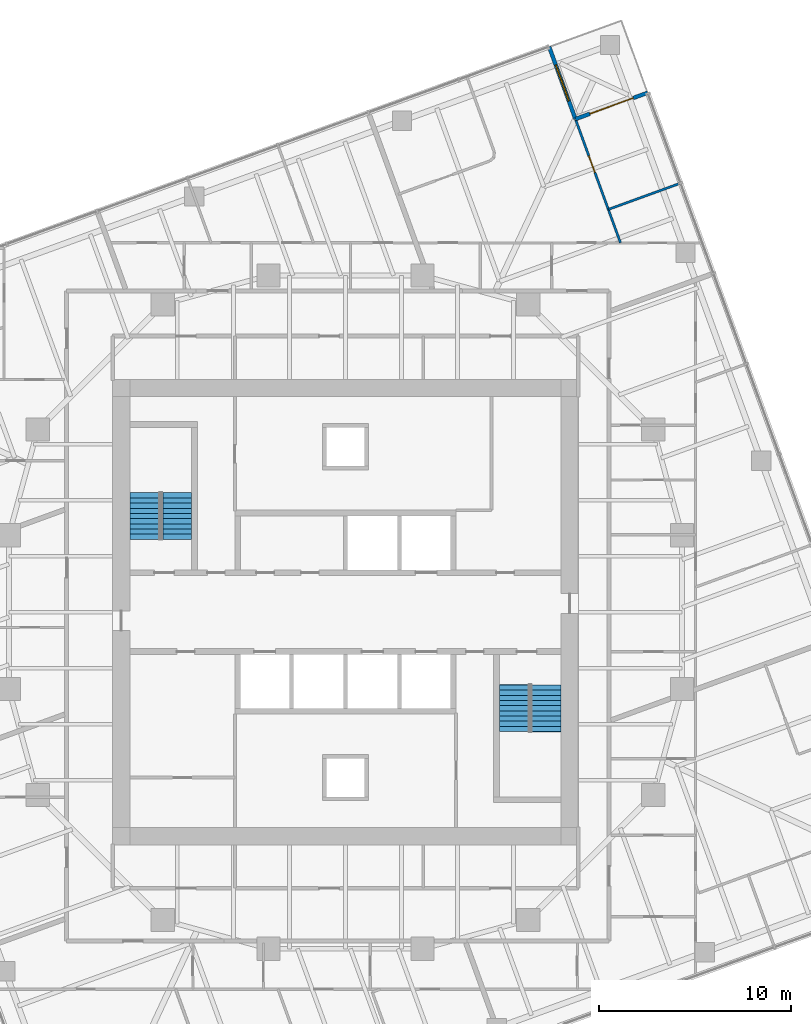
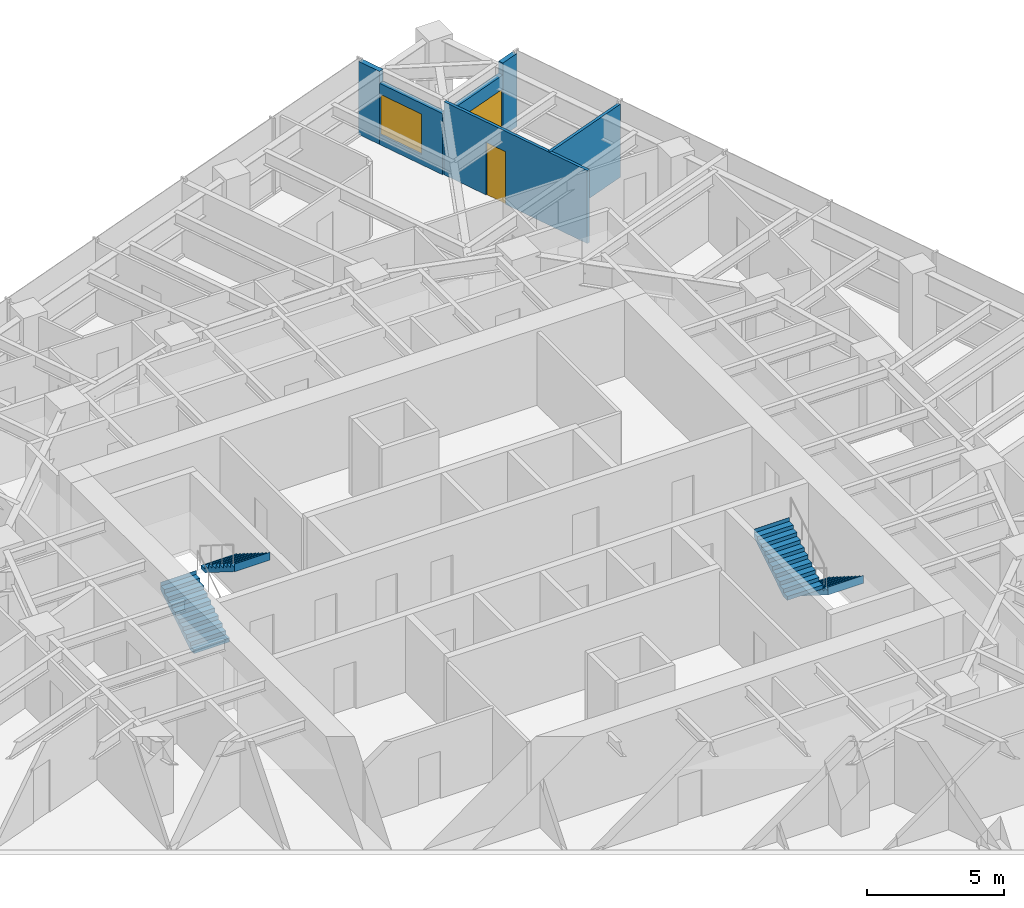
# One storey, part 12 of 13: 6 walls, 4 stair flights, 2 doors, 1 window, 3 openings, 2 elements without a shape of their own.
"""IFC4 building model written with IfcOpenShell, lengths in metres."""

from ifc_helpers import new_model, si_unit, direction, frame, frame_2d, origin, place, context, subcontext, project, spatial, polyline, rectangle, outline, extrude, material, layer, layer_set, type_object, element, fill, aggregate, save


model = new_model("IFC4")

# Units and contexts
model_context = context("Model", 3, precision=1e-05, world=origin(), true_north=direction((0.0, 1.0)))
body_context = subcontext(model_context, "Body", "Model", "MODEL_VIEW")
ifc_project = project(units=[si_unit("LENGTHUNIT", "METRE"), si_unit("AREAUNIT", "SQUARE_METRE"), si_unit("VOLUMEUNIT", "CUBIC_METRE"), si_unit("PLANEANGLEUNIT", "RADIAN"), si_unit("MASSUNIT", "GRAM", prefix="KILO")], contexts=[model_context])

# Site, building, storey
site_placement = place(None, origin())
site = spatial("IfcSite", under=ifc_project, at=site_placement, CompositionType="ELEMENT")
building_placement = place(site_placement, origin())
building = spatial("IfcBuilding", under=site, at=building_placement, Name="Torsade Residences", CompositionType="ELEMENT")
storey_placement = place(building_placement, frame((0.0, 0.0, 164.199951171875)))
storey = spatial("IfcBuildingStorey", under=building, at=storey_placement, Name="L45", CompositionType="ELEMENT", Elevation=164.199951171875)

# Wall, opening, door
ifc_material_1 = material(Name="Plasterboard on steel stud", Category="steel")
ifc_layer_1 = layer(ifc_material_1, 0.1201171875)
ifc_layer_set_1 = layer_set([ifc_layer_1], Name="Plasterboard on steel stud")
wall_type_1 = type_object("IfcWallType", Name="PARTITION 120", PredefinedType="PARTITIONING", material=ifc_layer_set_1)
wall_1_placement = place(storey_placement, frame((51.967041015625, 55.5966796875, 0.0), z_axis=(0.0, 0.0, 1.0), x_axis=(0.342039648023, -0.939685521427, 0.0)))
wall_1 = element("IfcWall", 1, at=wall_1_placement, inside=storey, type_object=wall_type_1, Name="Partition L45", PredefinedType="PARTITIONING", context=body_context, shape_type="SweptSolid", body=[
    extrude(rectangle(XDim=6.807373046875, YDim=0.1201171875, at=frame_2d((3.40380859375, 0.0))), origin(), (0.0, 0.0, 1.0), 3.25),
])
opening_1_placement = place(wall_1_placement, frame((2.0, 0.0, 0.0)))
opening_1 = element("IfcOpeningElement", 2, at=opening_1_placement, cuts=wall_1, Name="Opening D02", PredefinedType="OPENING", context=body_context, shape_type="SweptSolid", body=[
    extrude(rectangle(XDim=0.919921875, YDim=2.340087890625, at=frame_2d((0.4599609375, 1.169921875))), frame((0.0, 0.070068359375, 0.0), z_axis=(0.0, -1.0, 0.0), x_axis=(1.0, 0.0, 0.0)), (0.0, 0.0, 1.0), 0.14013671875),
])
ifc_material_2 = material(Name="Hollow-core timber door", Category="wood")
door_type_1 = type_object("IfcDoorType", Name="INTERNAL DOOR 920x2340", OperationType="NOTDEFINED", PredefinedType="DOOR", material=ifc_material_2)
door_1_placement = place(opening_1_placement, origin())
door_1 = element("IfcDoor", 3, at=door_1_placement, inside=storey, type_object=door_type_1, Name="Door Living room to Bedroom 2", OperationType="SINGLE_SWING_RIGHT", OverallHeight=2.340087890625, OverallWidth=0.919921875, PredefinedType="DOOR", context=body_context, shape_type="SweptSolid", body=[
    extrude(rectangle(XDim=0.919921875, YDim=2.340087890625, at=frame_2d((0.4599609375, 1.169921875))), frame((0.0, 0.02490234375, 0.0), z_axis=(0.0, -1.0, 0.0), x_axis=(1.0, 0.0, 0.0)), (0.0, 0.0, 1.0), 0.050048828125),
])
fill(opening_1, door_1)

# Walls
wall_2_placement = place(storey_placement, frame((57.384765625, 52.290283203125, 0.0), z_axis=(0.0, 0.0, 1.0), x_axis=(-0.939685374709, -0.342040051101, 0.0)))
element("IfcWall", 4, at=wall_2_placement, inside=storey, type_object=wall_type_1, Name="Partition L45", PredefinedType="PARTITIONING", context=body_context, shape_type="SweptSolid", body=[
    extrude(rectangle(XDim=3.9599609375, YDim=0.1201171875, at=frame_2d((1.97998046875, 0.0))), origin(), (0.0, 0.0, 1.0), 3.25),
])
ifc_material_3 = material(Name="Stone-faced precast concrete 40 MPa panel", Category="masonry")
ifc_layer_2 = layer(ifc_material_3, 0.199951171875)
ifc_layer_set_2 = layer_set([ifc_layer_2], Name="Stone-faced precast concrete 40 MPa panel")
wall_type_2 = type_object("IfcWallType", Name="TERRACE WALL 200", PredefinedType="SOLIDWALL", material=ifc_layer_set_2)
wall_3_placement = place(storey_placement, frame((55.712158203125, 57.00244140625, 0.0), z_axis=(0.0, 0.0, 1.0), x_axis=(-0.939659694648, -0.342110593602, 0.0)))
element("IfcWall", 5, at=wall_3_placement, inside=storey, type_object=wall_type_2, Name="Terrace wall L45 5", PredefinedType="SOLIDWALL", context=body_context, shape_type="SweptSolid", body=[
    extrude(rectangle(XDim=0.800048828125, YDim=0.199951171875, at=frame_2d((0.39990234375, 0.0))), origin(), (0.0, 0.0, 1.0), 3.25),
])

# Wall, opening, door
wall_4_placement = place(storey_placement, frame((54.96044921875, 56.728759765625, 0.0), z_axis=(0.0, 0.0, 1.0), x_axis=(-0.939693144909, -0.342018703306, 0.0)))
wall_4 = element("IfcWall", 6, at=wall_4_placement, inside=storey, type_object=wall_type_2, Name="Terrace wall L45 5", PredefinedType="SOLIDWALL", context=body_context, shape_type="SweptSolid", body=[
    extrude(rectangle(XDim=3.199951171875, YDim=0.199951171875, at=frame_2d((1.60009765625, 0.0))), origin(), (0.0, 0.0, 1.0), 2.72216796875),
])
opening_2_placement = place(wall_4_placement, origin())
opening_2 = element("IfcOpeningElement", 7, at=opening_2_placement, cuts=wall_4, Name="Opening D10A", PredefinedType="OPENING", context=body_context, shape_type="SweptSolid", body=[
    extrude(rectangle(XDim=2.39990234375, YDim=2.10009765625, at=frame_2d((1.199951171875, 1.050048828125))), frame((0.0, 0.10986328125, 0.0), z_axis=(0.0, -1.0, 0.0), x_axis=(1.0, 0.0, 0.0)), (0.0, 0.0, 1.0), 0.219970703125),
])
ifc_material_4 = material(Name="Aluminium-framed glass door", Category="aluminium")
door_type_2 = type_object("IfcDoorType", Name="TERRACE SLIDING DOOR 2400x2100", OperationType="SLIDING_TO_LEFT", PredefinedType="DOOR", material=ifc_material_4)
door_2_placement = place(opening_2_placement, origin())
door_2 = element("IfcDoor", 8, at=door_2_placement, inside=storey, type_object=door_type_2, Name="Terrace door L45 5", OperationType="SLIDING_TO_LEFT", OverallHeight=2.10009765625, OverallWidth=2.39990234375, PredefinedType="DOOR", context=body_context, shape_type="SweptSolid", body=[
    extrude(rectangle(XDim=2.39990234375, YDim=2.10009765625, at=frame_2d((1.199951171875, 1.050048828125))), frame((0.0, 0.02490234375, 0.0), z_axis=(0.0, -1.0, 0.0), x_axis=(1.0, 0.0, 0.0)), (0.0, 0.0, 1.0), 0.050048828125),
])
fill(opening_2, door_2)

# Wall, opening, window
wall_5_placement = place(storey_placement, frame((51.953369140625, 55.63427734375, 0.0), z_axis=(0.0, 0.0, 1.0), x_axis=(-0.341965219194, 0.939712609717, 0.0)))
wall_5 = element("IfcWall", 9, at=wall_5_placement, inside=storey, type_object=wall_type_2, Name="Terrace wall L45 6", PredefinedType="SOLIDWALL", context=body_context, shape_type="SweptSolid", body=[
    extrude(rectangle(XDim=3.0, YDim=0.199951171875, at=frame_2d((1.5, 0.0))), origin(), (0.0, 0.0, 1.0), 2.72216796875),
])
opening_3_placement = place(wall_5_placement, frame((1.0, 0.0, 0.449951171875)))
opening_3 = element("IfcOpeningElement", 10, at=opening_3_placement, cuts=wall_5, Name="Opening W1B", PredefinedType="OPENING", context=body_context, shape_type="SweptSolid", body=[
    extrude(rectangle(XDim=2.0, YDim=1.800048828125, at=frame_2d((1.0, 0.89990234375))), frame((0.0, 0.10986328125, 0.0), z_axis=(0.0, -1.0, 0.0), x_axis=(1.0, 0.0, 0.0)), (0.0, 0.0, 1.0), 0.219970703125),
])
ifc_material_5 = material(Name="Aluminium-framed glass window", Category="aluminium")
window_type = type_object("IfcWindowType", Name="TERRACE WINDOW 2000x1800", PartitioningType="SINGLE_PANEL", PredefinedType="WINDOW", material=ifc_material_5)
window_placement = place(opening_3_placement, origin())
window = element("IfcWindow", 11, at=window_placement, inside=storey, type_object=window_type, Name="Terrace window L45 6", OverallHeight=1.800048828125, OverallWidth=2.0, PartitioningType="SINGLE_PANEL", PredefinedType="WINDOW", context=body_context, shape_type="SweptSolid", body=[
    extrude(rectangle(XDim=2.0, YDim=1.800048828125, at=frame_2d((1.0, 0.89990234375))), frame((0.0, 0.030029296875, 0.0), z_axis=(0.0, -1.0, 0.0), x_axis=(1.0, 0.0, 0.0)), (0.0, 0.0, 1.0), 0.06005859375),
])
fill(opening_3, window)

# Wall
wall_6_placement = place(storey_placement, frame((50.927490234375, 58.453369140625, 0.0), z_axis=(0.0, 0.0, 1.0), x_axis=(-0.342037080957, 0.939686455819, 0.0)))
element("IfcWall", 12, at=wall_6_placement, inside=storey, type_object=wall_type_2, Name="Terrace wall L45 6", PredefinedType="SOLIDWALL", context=body_context, shape_type="SweptSolid", body=[
    extrude(rectangle(XDim=1.0, YDim=0.199951171875, at=frame_2d((0.5, 0.0))), origin(), (0.0, 0.0, 1.0), 3.25),
])

# Stair, stair flights
ifc_material_6 = material(Name="Precast concrete 40 MPa", Category="concrete")
stair_type = type_object("IfcStairType", Name="HALF-TURN FIRE STAIR 1500x3400", PredefinedType="HALF_TURN_STAIR", material=ifc_material_6)
stair_1_placement = place(storey_placement, origin())
stair_1 = element("IfcStair", 13, at=stair_1_placement, inside=storey, type_object=stair_type, Name="Stair ST1 L45", PredefinedType="HALF_TURN_STAIR")
ifc_material_7 = material(Name="Precast concrete 40 MPa", Category="concrete")
stair_flight_type = type_object("IfcStairFlightType", Name="PRECAST STAIR FLIGHT 1500x1700", PredefinedType="STRAIGHT", material=ifc_material_7)
stair_flight_1_placement = place(storey_placement, frame((29.550048828125, 33.780029296875, 0.0), z_axis=(0.0, 0.0, 1.0), x_axis=(0.0, 1.0, 0.0)))
stair_flight_1 = element("IfcStairFlight", 14, at=stair_flight_1_placement, type_object=stair_flight_type, Name="ST1 flight 1", NumberOfRisers=10, NumberOfTreads=9, PredefinedType="STRAIGHT", RiserHeight=0.17, TreadLength=0.27, context=body_context, shape_type="SweptSolid", body=[
    extrude(outline(polyline([(0.0, 0.0), (0.0, 0.169921875), (0.27001953125, 0.169921875), (0.27001953125, 0.340087890625), (0.5400390625, 0.340087890625), (0.5400390625, 0.510009765625), (0.81005859375, 0.510009765625), (0.81005859375, 0.679931640625), (1.080078125, 0.679931640625), (1.080078125, 0.85009765625), (1.35009765625, 0.85009765625), (1.35009765625, 1.02001953125), (1.6201171875, 1.02001953125), (1.6201171875, 1.18994140625), (1.889892578125, 1.18994140625), (1.889892578125, 1.360107421875), (2.159912109375, 1.360107421875), (2.159912109375, 1.530029296875), (2.429931640625, 1.530029296875), (2.429931640625, 1.699951171875), (2.43994140625, 1.699951171875), (2.43994140625, 1.352783203125), (2.429931640625, 1.352783203125), (0.28125, 0.0), (0.0, 0.0)])), frame((0.0, 0.75, 0.0), z_axis=(0.0, -1.0, 0.0), x_axis=(1.0, 0.0, 0.0)), (0.0, 0.0, 1.0), 1.5),
])
stair_flight_2_placement = place(storey_placement, frame((31.25, 36.2099609375, 1.699951171875), z_axis=(0.0, 0.0, 1.0), x_axis=(0.0, -1.0, 0.0)))
stair_flight_2 = element("IfcStairFlight", 15, at=stair_flight_2_placement, type_object=stair_flight_type, Name="ST1 flight 2", NumberOfRisers=10, NumberOfTreads=9, PredefinedType="STRAIGHT", RiserHeight=0.17, TreadLength=0.27, context=body_context, shape_type="SweptSolid", body=[
    extrude(outline(polyline([(0.0, 0.0), (0.0, 0.169921875), (0.27001953125, 0.169921875), (0.27001953125, 0.340087890625), (0.5400390625, 0.340087890625), (0.5400390625, 0.510009765625), (0.81005859375, 0.510009765625), (0.81005859375, 0.679931640625), (1.080078125, 0.679931640625), (1.080078125, 0.85009765625), (1.35009765625, 0.85009765625), (1.35009765625, 1.02001953125), (1.6201171875, 1.02001953125), (1.6201171875, 1.18994140625), (1.889892578125, 1.18994140625), (1.889892578125, 1.360107421875), (2.159912109375, 1.360107421875), (2.159912109375, 1.530029296875), (2.429931640625, 1.530029296875), (2.429931640625, 1.699951171875), (2.43994140625, 1.699951171875), (2.43994140625, 1.352783203125), (2.429931640625, 1.352783203125), (0.28125, 0.0), (0.0, 0.0)])), frame((0.0, 0.75, 0.0), z_axis=(0.0, -1.0, 0.0), x_axis=(1.0, 0.0, 0.0)), (0.0, 0.0, 1.0), 1.5),
])
aggregate(stair_1, [stair_flight_1, stair_flight_2])

stair_2_placement = place(storey_placement, origin())
stair_2 = element("IfcStair", 16, at=stair_2_placement, inside=storey, type_object=stair_type, Name="Stair ST2 L45", PredefinedType="HALF_TURN_STAIR")
stair_flight_3_placement = place(storey_placement, frame((50.449951171875, 26.219970703125, 0.0), z_axis=(0.0, 0.0, 1.0), x_axis=(0.0, -1.0, 0.0)))
stair_flight_3 = element("IfcStairFlight", 17, at=stair_flight_3_placement, type_object=stair_flight_type, Name="ST2 flight 1", NumberOfRisers=10, NumberOfTreads=9, PredefinedType="STRAIGHT", RiserHeight=0.17, TreadLength=0.27, context=body_context, shape_type="SweptSolid", body=[
    extrude(outline(polyline([(0.0, 0.0), (0.0, 0.169921875), (0.27001953125, 0.169921875), (0.27001953125, 0.340087890625), (0.5400390625, 0.340087890625), (0.5400390625, 0.510009765625), (0.81005859375, 0.510009765625), (0.81005859375, 0.679931640625), (1.080078125, 0.679931640625), (1.080078125, 0.85009765625), (1.35009765625, 0.85009765625), (1.35009765625, 1.02001953125), (1.6201171875, 1.02001953125), (1.6201171875, 1.18994140625), (1.889892578125, 1.18994140625), (1.889892578125, 1.360107421875), (2.159912109375, 1.360107421875), (2.159912109375, 1.530029296875), (2.429931640625, 1.530029296875), (2.429931640625, 1.699951171875), (2.43994140625, 1.699951171875), (2.43994140625, 1.352783203125), (2.429931640625, 1.352783203125), (0.28125, 0.0), (0.0, 0.0)])), frame((0.0, 0.75, 0.0), z_axis=(0.0, -1.0, 0.0), x_axis=(1.0, 0.0, 0.0)), (0.0, 0.0, 1.0), 1.5),
])
stair_flight_4_placement = place(storey_placement, frame((48.75, 23.7900390625, 1.699951171875), z_axis=(0.0, 0.0, 1.0), x_axis=(0.0, 1.0, 0.0)))
stair_flight_4 = element("IfcStairFlight", 18, at=stair_flight_4_placement, type_object=stair_flight_type, Name="ST2 flight 2", NumberOfRisers=10, NumberOfTreads=9, PredefinedType="STRAIGHT", RiserHeight=0.17, TreadLength=0.27, context=body_context, shape_type="SweptSolid", body=[
    extrude(outline(polyline([(0.0, 0.0), (0.0, 0.169921875), (0.27001953125, 0.169921875), (0.27001953125, 0.340087890625), (0.5400390625, 0.340087890625), (0.5400390625, 0.510009765625), (0.81005859375, 0.510009765625), (0.81005859375, 0.679931640625), (1.080078125, 0.679931640625), (1.080078125, 0.85009765625), (1.35009765625, 0.85009765625), (1.35009765625, 1.02001953125), (1.6201171875, 1.02001953125), (1.6201171875, 1.18994140625), (1.889892578125, 1.18994140625), (1.889892578125, 1.360107421875), (2.159912109375, 1.360107421875), (2.159912109375, 1.530029296875), (2.429931640625, 1.530029296875), (2.429931640625, 1.699951171875), (2.43994140625, 1.699951171875), (2.43994140625, 1.352783203125), (2.429931640625, 1.352783203125), (0.28125, 0.0), (0.0, 0.0)])), frame((0.0, 0.75, 0.0), z_axis=(0.0, -1.0, 0.0), x_axis=(1.0, 0.0, 0.0)), (0.0, 0.0, 1.0), 1.5),
])
aggregate(stair_2, [stair_flight_3, stair_flight_4])

save(model, "model.ifc")
